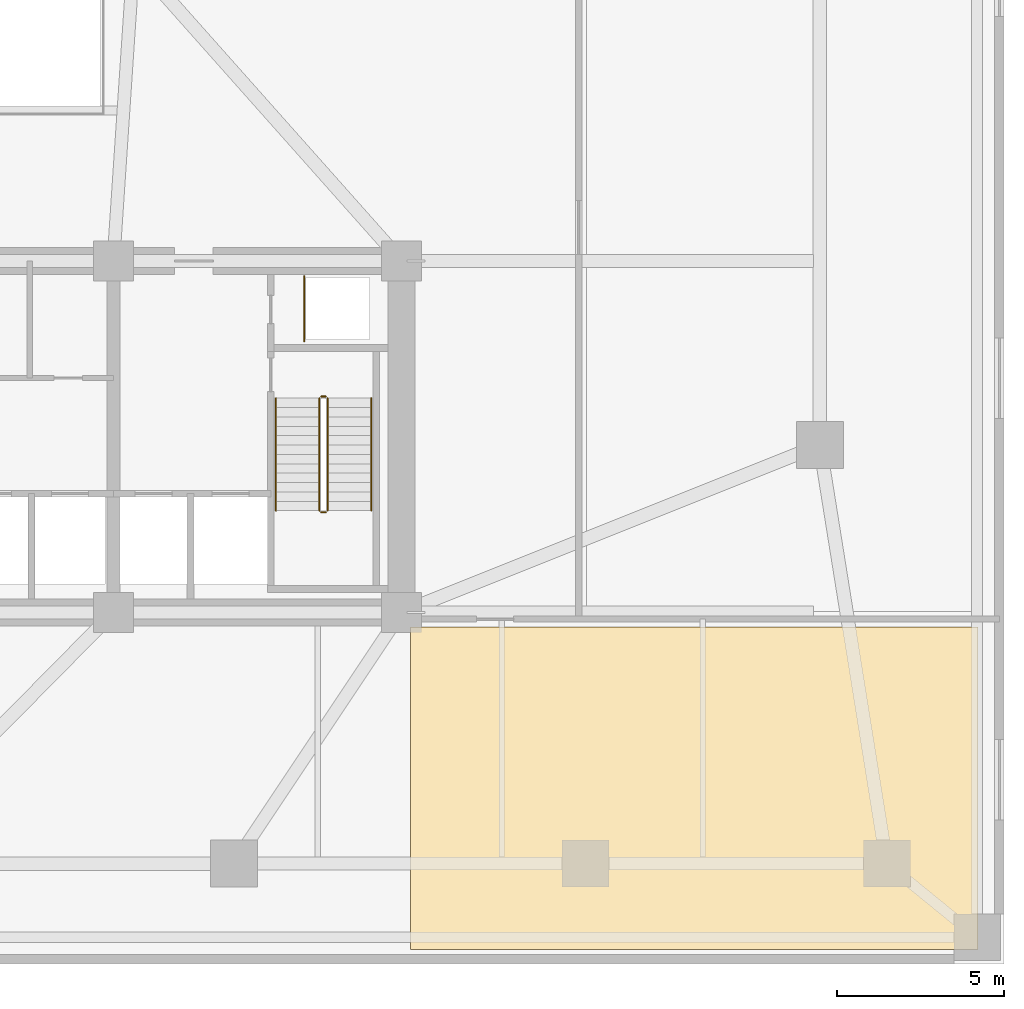
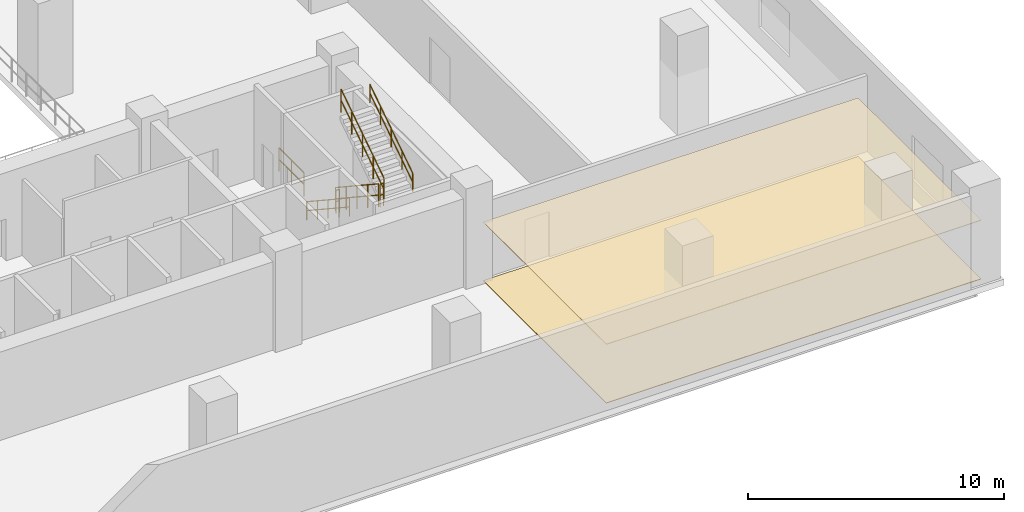
# One storey, part 11 of 15: 7 railings, 2 coverings.
"""IFC4 building model written with IfcOpenShell, lengths in metres."""

from ifc_helpers import new_model, si_unit, direction, frame, origin, origin_2d, place, context, subcontext, project, spatial, polyline, circle, outline, extrude, material, layer, layer_set, type_object, element, save


model = new_model("IFC4")

# Units and contexts
model_context = context("Model", 3, precision=1e-05, world=origin(), true_north=direction((0.0, 1.0)))
body_context = subcontext(model_context, "Body", "Model", "MODEL_VIEW")
ifc_project = project(units=[si_unit("LENGTHUNIT", "METRE"), si_unit("AREAUNIT", "SQUARE_METRE"), si_unit("VOLUMEUNIT", "CUBIC_METRE"), si_unit("PLANEANGLEUNIT", "RADIAN"), si_unit("MASSUNIT", "GRAM", prefix="KILO")], contexts=[model_context])

# Site, building, storey
site_placement = place(None, origin())
site = spatial("IfcSite", under=ifc_project, at=site_placement, CompositionType="ELEMENT")
building_placement = place(site_placement, origin())
building = spatial("IfcBuilding", under=site, at=building_placement, Name="Solmavex Isthmus Hotel", CompositionType="ELEMENT")
storey_placement = place(building_placement, frame((0.0, 0.0, 11.39990234375)))
storey = spatial("IfcBuildingStorey", under=building, at=storey_placement, Name="L03", CompositionType="ELEMENT", Elevation=11.39990234375)

# Coverings
ifc_material_1 = material(Name="Gypsum plasterboard lining", Category="gypsum")
ifc_layer_1 = layer(ifc_material_1, 0.030029296875)
ifc_layer_set_1 = layer_set([ifc_layer_1], Name="Gypsum plasterboard lining")
covering_type_1 = type_object("IfcCoveringType", Name="COV-CEIL-GYP", PredefinedType="CEILING", material=ifc_layer_set_1)
covering_1_placement = place(storey_placement, frame((0.0, 0.0, 2.800048828125)))
element("IfcCovering", 1, at=covering_1_placement, inside=storey, type_object=covering_type_1, Name="Suspended Acoustic Ceiling L03-AV1", PredefinedType="CEILING", context=body_context, shape_type="SweptSolid", body=[
    extrude(outline(polyline([(33.219970703125, -23.070068359375), (33.219970703125, -13.429931640625), (16.280029296875, -13.429931640625), (16.280029296875, -23.070068359375), (33.219970703125, -23.070068359375)])), origin(), (0.0, 0.0, 1.0), 0.030029296875),
])
ifc_material_2 = material(Name="Travertine natural stone", Category="masonry")
ifc_layer_2 = layer(ifc_material_2, 0.02490234375)
ifc_layer_set_2 = layer_set([ifc_layer_2], Name="Travertine natural stone")
covering_type_2 = type_object("IfcCoveringType", Name="COV-FLOR-STN", PredefinedType="FLOORING", material=ifc_layer_set_2)
covering_2_placement = place(storey_placement, origin())
element("IfcCovering", 2, at=covering_2_placement, inside=storey, type_object=covering_type_2, Name="Stone and Timber Floor Finish L03-AV1", PredefinedType="FLOORING", context=body_context, shape_type="SweptSolid", body=[
    extrude(outline(polyline([(33.219970703125, -23.070068359375), (33.219970703125, -13.429931640625), (16.280029296875, -13.429931640625), (16.280029296875, -23.070068359375), (33.219970703125, -23.070068359375)])), origin(), (0.0, 0.0, 1.0), 0.025146484375),
])

# Railings
ifc_material_3 = material(Name="Clear low-E laminated glass", Category="glass")
ifc_layer_3 = layer(ifc_material_3, 0.080078125)
ifc_layer_set_3 = layer_set([ifc_layer_3], Name="Clear low-E laminated glass")
railing_type_1 = type_object("IfcRailingType", Name="RAIL-ATRIUM-1120", PredefinedType="BALUSTRADE", material=ifc_layer_set_3)
railing_1_placement = place(storey_placement, frame((13.10009765625, -4.89990234375, 0.0)))
element("IfcRailing", 3, at=railing_1_placement, inside=storey, type_object=railing_type_1, Name="Guardrail Balustrade L03-RSE-01", PredefinedType="BALUSTRADE", context=body_context, shape_type="SweptSolid", body=[
    extrude(circle(Radius=0.02392578125, at=origin_2d()), frame((0.0, 0.0, 1.1259765625), z_axis=(0.0, 1.0, 0.0), x_axis=(-1.0, 0.0, 0.0)), (0.0, 0.0, 1.0), 1.949951171875),
    extrude(circle(Radius=0.02392578125, at=origin_2d()), frame((0.0, 0.0, 0.574951171875), z_axis=(0.0, 1.0, 0.0), x_axis=(-1.0, 0.0, 0.0)), (0.0, 0.0, 1.0), 1.949951171875),
    extrude(circle(Radius=0.02099609375, at=origin_2d()), origin(), (0.0, 0.0, 1.0), 1.101806640625),
    extrude(circle(Radius=0.02099609375, at=origin_2d()), frame((0.0, 0.97509765625, 0.0)), (0.0, 0.0, 1.0), 1.101806640625),
    extrude(circle(Radius=0.02099609375, at=origin_2d()), frame((0.0, 1.949951171875, 0.0)), (0.0, 0.0, 1.0), 1.101806640625),
])
ifc_material_4 = material(Name="Stainless steel 316", Category="steel")
ifc_layer_4 = layer(ifc_material_4, 0.06005859375)
ifc_layer_set_4 = layer_set([ifc_layer_4], Name="Stainless steel 316")
railing_type_2 = type_object("IfcRailingType", Name="RAIL-STAIR-GD", PredefinedType="GUARDRAIL", material=ifc_layer_set_4)
railing_2_placement = place(storey_placement, frame((13.550048828125, -6.60009765625, 0.184814453125)))
element("IfcRailing", 4, at=railing_2_placement, inside=storey, type_object=railing_type_2, Name="L03 ST-2 stair guard 1", PredefinedType="GUARDRAIL", context=body_context, shape_type="SweptSolid", body=[
    extrude(circle(Radius=0.02392578125, at=origin_2d()), frame((0.0, 0.0, 1.09619140625), z_axis=(0.0, -0.834858096282, 0.550465220583), x_axis=(1.0, 0.0, 0.0)), (0.0, 0.0, 1.0), 4.0244140625),
    extrude(circle(Radius=0.02392578125, at=origin_2d()), frame((0.0, 0.0, 0.56005859375), z_axis=(0.0, -0.834858096282, 0.550465220583), x_axis=(1.0, 0.0, 0.0)), (0.0, 0.0, 1.0), 4.0244140625),
    extrude(circle(Radius=0.02099609375, at=origin_2d()), origin(), (0.0, 0.0, 1.0), 1.072021484375),
    extrude(circle(Radius=0.02099609375, at=origin_2d()), frame((0.0, -0.83984375, 0.5537109375)), (0.0, 0.0, 1.0), 1.072021484375),
    extrude(circle(Radius=0.02099609375, at=origin_2d()), frame((0.0, -1.679931640625, 1.107666015625)), (0.0, 0.0, 1.0), 1.072021484375),
    extrude(circle(Radius=0.02099609375, at=origin_2d()), frame((0.0, -2.52001953125, 1.66162109375)), (0.0, 0.0, 1.0), 1.072021484375),
    extrude(circle(Radius=0.02099609375, at=origin_2d()), frame((0.0, -3.35986328125, 2.21533203125)), (0.0, 0.0, 1.0), 1.072021484375),
])
railing_3_placement = place(storey_placement, frame((13.60009765625, -10.010009765625, 2.400146484375)))
element("IfcRailing", 5, at=railing_3_placement, inside=storey, type_object=railing_type_2, Name="L03 ST-2 stair guard 2", PredefinedType="GUARDRAIL", context=body_context, shape_type="SweptSolid", body=[
    extrude(circle(Radius=0.02392578125, at=origin_2d()), frame((0.0, 0.0, 1.09619140625), z_axis=(1.0, 0.0, 0.0), x_axis=(0.0, 1.0, 0.0)), (0.0, 0.0, 1.0), 0.14990234375),
    extrude(circle(Radius=0.02392578125, at=origin_2d()), frame((0.0, 0.0, 0.56005859375), z_axis=(1.0, 0.0, 0.0), x_axis=(0.0, 1.0, 0.0)), (0.0, 0.0, 1.0), 0.14990234375),
    extrude(circle(Radius=0.02099609375, at=origin_2d()), origin(), (0.0, 0.0, 1.0), 1.072021484375),
    extrude(circle(Radius=0.02099609375, at=origin_2d()), frame((0.14990234375, 0.0, 0.0)), (0.0, 0.0, 1.0), 1.072021484375),
])
railing_4_placement = place(storey_placement, frame((13.800048828125, -9.9599609375, 2.584716796875)))
element("IfcRailing", 6, at=railing_4_placement, inside=storey, type_object=railing_type_2, Name="L03 ST-2 stair guard 3", PredefinedType="GUARDRAIL", context=body_context, shape_type="SweptSolid", body=[
    extrude(circle(Radius=0.02392578125, at=origin_2d()), frame((0.0, 0.0, 1.09619140625), z_axis=(0.0, 0.834858096282, 0.550465220583), x_axis=(-1.0, 0.0, 0.0)), (0.0, 0.0, 1.0), 4.0244140625),
    extrude(circle(Radius=0.02392578125, at=origin_2d()), frame((0.0, 0.0, 0.56005859375), z_axis=(0.0, 0.834858096282, 0.550465220583), x_axis=(-1.0, 0.0, 0.0)), (0.0, 0.0, 1.0), 4.0244140625),
    extrude(circle(Radius=0.02099609375, at=origin_2d()), origin(), (0.0, 0.0, 1.0), 1.072021484375),
    extrude(circle(Radius=0.02099609375, at=origin_2d()), frame((0.0, 0.83984375, 0.5537109375)), (0.0, 0.0, 1.0), 1.072021484375),
    extrude(circle(Radius=0.02099609375, at=origin_2d()), frame((0.0, 1.679931640625, 1.107666015625)), (0.0, 0.0, 1.0), 1.072021484375),
    extrude(circle(Radius=0.02099609375, at=origin_2d()), frame((0.0, 2.52001953125, 1.66162109375)), (0.0, 0.0, 1.0), 1.072021484375),
    extrude(circle(Radius=0.02099609375, at=origin_2d()), frame((0.0, 3.35986328125, 2.21533203125)), (0.0, 0.0, 1.0), 1.072021484375),
])
railing_5_placement = place(storey_placement, frame((13.60009765625, -6.550048828125, 0.0)))
element("IfcRailing", 7, at=railing_5_placement, inside=storey, type_object=railing_type_2, Name="L03 ST-2 stair guard 4", PredefinedType="GUARDRAIL", context=body_context, shape_type="SweptSolid", body=[
    extrude(circle(Radius=0.02392578125, at=origin_2d()), frame((0.0, 0.0, 1.09619140625), z_axis=(1.0, 0.0, 0.0), x_axis=(0.0, 1.0, 0.0)), (0.0, 0.0, 1.0), 0.14990234375),
    extrude(circle(Radius=0.02392578125, at=origin_2d()), frame((0.0, 0.0, 0.56005859375), z_axis=(1.0, 0.0, 0.0), x_axis=(0.0, 1.0, 0.0)), (0.0, 0.0, 1.0), 0.14990234375),
    extrude(circle(Radius=0.02099609375, at=origin_2d()), origin(), (0.0, 0.0, 1.0), 1.072021484375),
    extrude(circle(Radius=0.02099609375, at=origin_2d()), frame((0.14990234375, 0.0, 0.0)), (0.0, 0.0, 1.0), 1.072021484375),
])
ifc_layer_5 = layer(ifc_material_4, 0.050048828125)
ifc_layer_set_5 = layer_set([ifc_layer_5], Name="Stainless steel 316")
railing_type_3 = type_object("IfcRailingType", Name="RAIL-STAIR-HR", PredefinedType="HANDRAIL", material=ifc_layer_set_5)
railing_6_placement = place(storey_placement, frame((12.25, -6.60009765625, 0.184814453125)))
element("IfcRailing", 8, at=railing_6_placement, inside=storey, type_object=railing_type_3, Name="L03 ST-2 stair handrail 1", PredefinedType="HANDRAIL", context=body_context, shape_type="SweptSolid", body=[
    extrude(circle(Radius=0.02392578125, at=origin_2d()), frame((0.0, 0.0, 0.8759765625), z_axis=(0.0, -0.834858096282, 0.550465220583), x_axis=(1.0, 0.0, 0.0)), (0.0, 0.0, 1.0), 4.0244140625),
    extrude(circle(Radius=0.02392578125, at=origin_2d()), frame((0.0, 0.0, 0.449951171875), z_axis=(0.0, -0.834858096282, 0.550465220583), x_axis=(1.0, 0.0, 0.0)), (0.0, 0.0, 1.0), 4.0244140625),
    extrude(circle(Radius=0.02099609375, at=origin_2d()), origin(), (0.0, 0.0, 1.0), 0.851806640625),
    extrude(circle(Radius=0.02099609375, at=origin_2d()), frame((0.0, -0.83984375, 0.5537109375)), (0.0, 0.0, 1.0), 0.851806640625),
    extrude(circle(Radius=0.02099609375, at=origin_2d()), frame((0.0, -1.679931640625, 1.107666015625)), (0.0, 0.0, 1.0), 0.851806640625),
    extrude(circle(Radius=0.02099609375, at=origin_2d()), frame((0.0, -2.52001953125, 1.66162109375)), (0.0, 0.0, 1.0), 0.851806640625),
    extrude(circle(Radius=0.02099609375, at=origin_2d()), frame((0.0, -3.35986328125, 2.21533203125)), (0.0, 0.0, 1.0), 0.851806640625),
])
railing_7_placement = place(storey_placement, frame((15.10009765625, -9.9599609375, 2.584716796875)))
element("IfcRailing", 9, at=railing_7_placement, inside=storey, type_object=railing_type_3, Name="L03 ST-2 stair handrail 2", PredefinedType="HANDRAIL", context=body_context, shape_type="SweptSolid", body=[
    extrude(circle(Radius=0.02392578125, at=origin_2d()), frame((0.0, 0.0, 0.8759765625), z_axis=(0.0, 0.834858096282, 0.550465220583), x_axis=(-1.0, 0.0, 0.0)), (0.0, 0.0, 1.0), 4.0244140625),
    extrude(circle(Radius=0.02392578125, at=origin_2d()), frame((0.0, 0.0, 0.449951171875), z_axis=(0.0, 0.834858096282, 0.550465220583), x_axis=(-1.0, 0.0, 0.0)), (0.0, 0.0, 1.0), 4.0244140625),
    extrude(circle(Radius=0.02099609375, at=origin_2d()), origin(), (0.0, 0.0, 1.0), 0.851806640625),
    extrude(circle(Radius=0.02099609375, at=origin_2d()), frame((0.0, 0.83984375, 0.5537109375)), (0.0, 0.0, 1.0), 0.851806640625),
    extrude(circle(Radius=0.02099609375, at=origin_2d()), frame((0.0, 1.679931640625, 1.107666015625)), (0.0, 0.0, 1.0), 0.851806640625),
    extrude(circle(Radius=0.02099609375, at=origin_2d()), frame((0.0, 2.52001953125, 1.66162109375)), (0.0, 0.0, 1.0), 0.851806640625),
    extrude(circle(Radius=0.02099609375, at=origin_2d()), frame((0.0, 3.35986328125, 2.21533203125)), (0.0, 0.0, 1.0), 0.851806640625),
])

save(model, "model.ifc")
